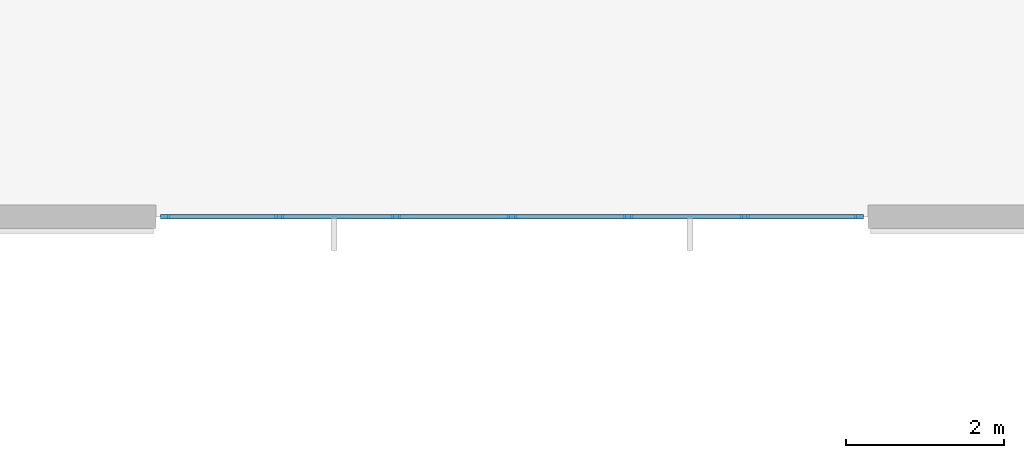
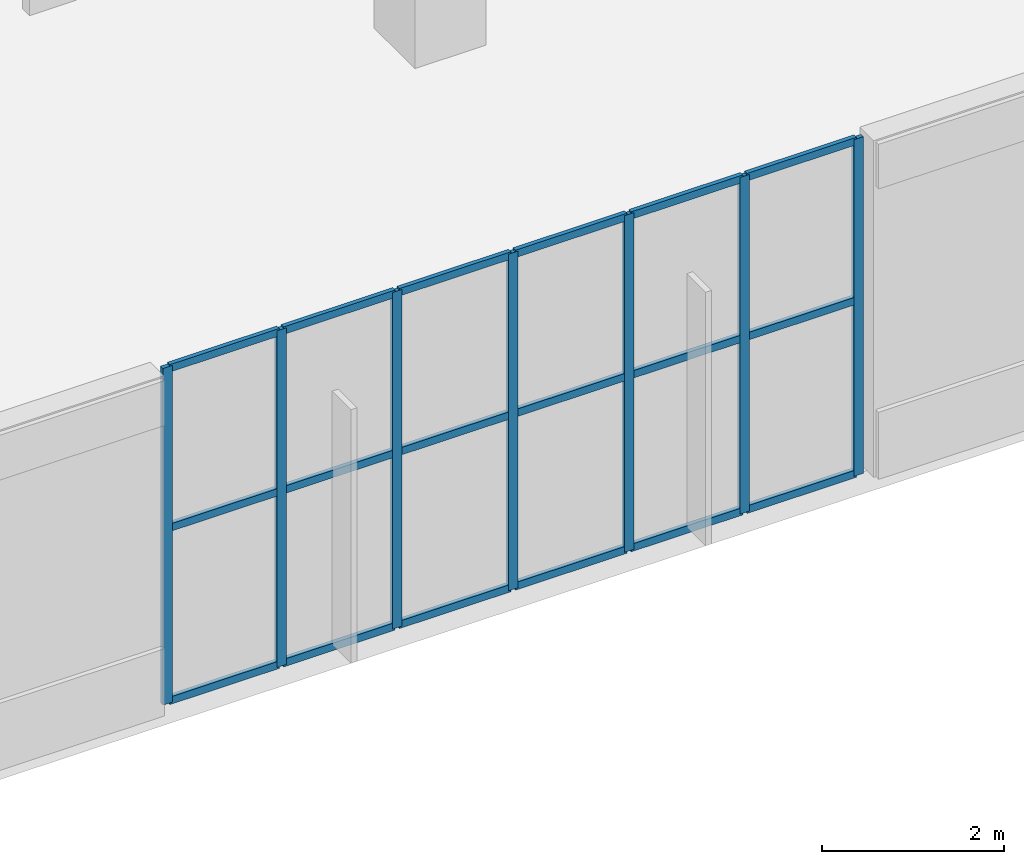
# One storey, part 32 of 96: 25 members, 1 element without a shape of its own.
"""IFC4 building model written with IfcOpenShell, lengths in metres."""

from ifc_helpers import new_model, si_unit, direction, frame, origin, origin_2d, place, context, subcontext, project, spatial, rectangle, extrude, material, layer, layer_set, material_profile, profile_set, type_object, element, aggregate, save


model = new_model("IFC4")

# Units and contexts
model_context = context("Model", 3, precision=1e-05, world=origin(), true_north=direction((0.0, 1.0)))
body_context = subcontext(model_context, "Body", "Model", "MODEL_VIEW")
ifc_project = project(units=[si_unit("LENGTHUNIT", "METRE"), si_unit("AREAUNIT", "SQUARE_METRE"), si_unit("VOLUMEUNIT", "CUBIC_METRE"), si_unit("PLANEANGLEUNIT", "RADIAN"), si_unit("MASSUNIT", "GRAM", prefix="KILO")], contexts=[model_context])

# Site, building, storey
site_placement = place(None, origin())
site = spatial("IfcSite", under=ifc_project, at=site_placement, CompositionType="ELEMENT")
building_placement = place(site_placement, origin())
building = spatial("IfcBuilding", under=site, at=building_placement, Name="Cendralis Terraced Arcade", CompositionType="ELEMENT")
storey_placement = place(building_placement, frame((0.0, 0.0, 10.199951171875)))
storey = spatial("IfcBuildingStorey", under=building, at=storey_placement, Name="L02", CompositionType="ELEMENT", Elevation=10.199951171875)

# Curtain wall, members
ifc_material = material(Name="Anodised aluminium EN AW-6063 T6", Category="aluminium")
ifc_layer = layer(ifc_material, 0.1201171875, Name="CW-STORE-B")
ifc_layer_set = layer_set([ifc_layer], Name="Anodised aluminium EN AW-6063 T6")
curtain_wall_type = type_object("IfcCurtainWallType", Name="CW-STORE-B", PredefinedType="USERDEFINED", material=ifc_layer_set)
curtain_wall_placement = place(storey_placement, origin())
curtain_wall = element("IfcCurtainWall", 1, at=curtain_wall_placement, inside=storey, type_object=curtain_wall_type, Name="Exterior Storefront Glazing CW-L02-0114", ObjectType="STOREFRONT GLAZING", PredefinedType="USERDEFINED")
ifc_material_profile_1 = material_profile(ifc_material, rectangle(XDim=0.054931640625, YDim=0.1201171875, at=origin_2d()), Name="ALU-MUL-55x120")
ifc_profile_set_1 = profile_set([ifc_material_profile_1], Name="Anodised aluminium EN AW-6063 T6")
member_type_1 = type_object("IfcMemberType", Name="CW-STORE-B-MUL", PredefinedType="MULLION", material=ifc_profile_set_1)
member_1_placement = place(storey_placement, frame((112.08251953125, 88.800048828125, 0.0), z_axis=(0.0, 0.0, 1.0), x_axis=(0.0, -1.0, 0.0)))
member_1 = element("IfcMember", 2, at=member_1_placement, type_object=member_type_1, Name="CW-S2 mullion 1", PredefinedType="MULLION", context=body_context, shape_type="SweptSolid", body=[
    extrude(rectangle(XDim=0.054931640625, YDim=0.1201171875, at=origin_2d()), origin(), (0.0, 0.0, 1.0), 4.51513671875),
])
member_2_placement = place(storey_placement, frame((110.639892578125, 88.800048828125, 0.0), z_axis=(0.0, 0.0, 1.0), x_axis=(0.0, -1.0, 0.0)))
member_2 = element("IfcMember", 3, at=member_2_placement, type_object=member_type_1, Name="CW-S2 mullion 2", PredefinedType="MULLION", context=body_context, shape_type="SweptSolid", body=[
    extrude(rectangle(XDim=0.054931640625, YDim=0.1201171875, at=origin_2d()), origin(), (0.0, 0.0, 1.0), 4.51513671875),
])
member_3_placement = place(storey_placement, frame((109.169921875, 88.800048828125, 0.0), z_axis=(0.0, 0.0, 1.0), x_axis=(0.0, -1.0, 0.0)))
member_3 = element("IfcMember", 4, at=member_3_placement, type_object=member_type_1, Name="CW-S2 mullion 3", PredefinedType="MULLION", context=body_context, shape_type="SweptSolid", body=[
    extrude(rectangle(XDim=0.054931640625, YDim=0.1201171875, at=origin_2d()), origin(), (0.0, 0.0, 1.0), 4.51513671875),
])
member_4_placement = place(storey_placement, frame((107.699951171875, 88.800048828125, 0.0), z_axis=(0.0, 0.0, 1.0), x_axis=(0.0, -1.0, 0.0)))
member_4 = element("IfcMember", 5, at=member_4_placement, type_object=member_type_1, Name="CW-S2 mullion 4", PredefinedType="MULLION", context=body_context, shape_type="SweptSolid", body=[
    extrude(rectangle(XDim=0.054931640625, YDim=0.1201171875, at=origin_2d()), origin(), (0.0, 0.0, 1.0), 4.51513671875),
])
member_5_placement = place(storey_placement, frame((106.22998046875, 88.800048828125, 0.0), z_axis=(0.0, 0.0, 1.0), x_axis=(0.0, -1.0, 0.0)))
member_5 = element("IfcMember", 6, at=member_5_placement, type_object=member_type_1, Name="CW-S2 mullion 5", PredefinedType="MULLION", context=body_context, shape_type="SweptSolid", body=[
    extrude(rectangle(XDim=0.054931640625, YDim=0.1201171875, at=origin_2d()), origin(), (0.0, 0.0, 1.0), 4.51513671875),
])
member_6_placement = place(storey_placement, frame((104.760009765625, 88.800048828125, 0.0), z_axis=(0.0, 0.0, 1.0), x_axis=(0.0, -1.0, 0.0)))
member_6 = element("IfcMember", 7, at=member_6_placement, type_object=member_type_1, Name="CW-S2 mullion 6", PredefinedType="MULLION", context=body_context, shape_type="SweptSolid", body=[
    extrude(rectangle(XDim=0.054931640625, YDim=0.1201171875, at=origin_2d()), origin(), (0.0, 0.0, 1.0), 4.51513671875),
])
member_7_placement = place(storey_placement, frame((103.3173828125, 88.800048828125, 0.0), z_axis=(0.0, 0.0, 1.0), x_axis=(0.0, -1.0, 0.0)))
member_7 = element("IfcMember", 8, at=member_7_placement, type_object=member_type_1, Name="CW-S2 mullion 7", PredefinedType="MULLION", context=body_context, shape_type="SweptSolid", body=[
    extrude(rectangle(XDim=0.054931640625, YDim=0.1201171875, at=origin_2d()), origin(), (0.0, 0.0, 1.0), 4.51513671875),
])
ifc_material_profile_2 = material_profile(ifc_material, rectangle(XDim=0.054931640625, YDim=0.10009765625, at=origin_2d()), Name="ALU-TRN-55x100")
ifc_profile_set_2 = profile_set([ifc_material_profile_2], Name="Anodised aluminium EN AW-6063 T6")
member_type_2 = type_object("IfcMemberType", Name="CW-STORE-B-TRN", PredefinedType="USERDEFINED", material=ifc_profile_set_2)
member_8_placement = place(storey_placement, frame((112.054931640625, 88.800048828125, 0.027587890625), z_axis=(-1.0, 0.0, 0.0), x_axis=(0.0, -1.0, 0.0)))
member_8 = element("IfcMember", 9, at=member_8_placement, type_object=member_type_2, Name="CW-S2 transom 1.1", ObjectType="TRANSOM", PredefinedType="USERDEFINED", context=body_context, shape_type="SweptSolid", body=[
    extrude(rectangle(XDim=0.054931640625, YDim=0.10009765625, at=origin_2d()), origin(), (0.0, 0.0, 1.0), 1.387451171875),
])
member_9_placement = place(storey_placement, frame((112.054931640625, 88.800048828125, 2.347900390625), z_axis=(-1.0, 0.0, 0.0), x_axis=(0.0, -1.0, 0.0)))
member_9 = element("IfcMember", 10, at=member_9_placement, type_object=member_type_2, Name="CW-S2 transom 1.2", ObjectType="TRANSOM", PredefinedType="USERDEFINED", context=body_context, shape_type="SweptSolid", body=[
    extrude(rectangle(XDim=0.054931640625, YDim=0.10009765625, at=origin_2d()), origin(), (0.0, 0.0, 1.0), 1.387451171875),
])
member_10_placement = place(storey_placement, frame((112.054931640625, 88.800048828125, 4.487548828125), z_axis=(-1.0, 0.0, 0.0), x_axis=(0.0, -1.0, 0.0)))
member_10 = element("IfcMember", 11, at=member_10_placement, type_object=member_type_2, Name="CW-S2 transom 1.3", ObjectType="TRANSOM", PredefinedType="USERDEFINED", context=body_context, shape_type="SweptSolid", body=[
    extrude(rectangle(XDim=0.054931640625, YDim=0.10009765625, at=origin_2d()), origin(), (0.0, 0.0, 1.0), 1.387451171875),
])
member_11_placement = place(storey_placement, frame((110.612548828125, 88.800048828125, 0.027587890625), z_axis=(-1.0, 0.0, 0.0), x_axis=(0.0, -1.0, 0.0)))
member_11 = element("IfcMember", 12, at=member_11_placement, type_object=member_type_2, Name="CW-S2 transom 2.1", ObjectType="TRANSOM", PredefinedType="USERDEFINED", context=body_context, shape_type="SweptSolid", body=[
    extrude(rectangle(XDim=0.054931640625, YDim=0.10009765625, at=origin_2d()), origin(), (0.0, 0.0, 1.0), 1.4150390625),
])
member_12_placement = place(storey_placement, frame((110.612548828125, 88.800048828125, 2.347900390625), z_axis=(-1.0, 0.0, 0.0), x_axis=(0.0, -1.0, 0.0)))
member_12 = element("IfcMember", 13, at=member_12_placement, type_object=member_type_2, Name="CW-S2 transom 2.2", ObjectType="TRANSOM", PredefinedType="USERDEFINED", context=body_context, shape_type="SweptSolid", body=[
    extrude(rectangle(XDim=0.054931640625, YDim=0.10009765625, at=origin_2d()), origin(), (0.0, 0.0, 1.0), 1.4150390625),
])
member_13_placement = place(storey_placement, frame((110.612548828125, 88.800048828125, 4.487548828125), z_axis=(-1.0, 0.0, 0.0), x_axis=(0.0, -1.0, 0.0)))
member_13 = element("IfcMember", 14, at=member_13_placement, type_object=member_type_2, Name="CW-S2 transom 2.3", ObjectType="TRANSOM", PredefinedType="USERDEFINED", context=body_context, shape_type="SweptSolid", body=[
    extrude(rectangle(XDim=0.054931640625, YDim=0.10009765625, at=origin_2d()), origin(), (0.0, 0.0, 1.0), 1.4150390625),
])
member_14_placement = place(storey_placement, frame((109.142578125, 88.800048828125, 0.027587890625), z_axis=(-1.0, 0.0, 0.0), x_axis=(0.0, -1.0, 0.0)))
member_14 = element("IfcMember", 15, at=member_14_placement, type_object=member_type_2, Name="CW-S2 transom 3.1", ObjectType="TRANSOM", PredefinedType="USERDEFINED", context=body_context, shape_type="SweptSolid", body=[
    extrude(rectangle(XDim=0.054931640625, YDim=0.10009765625, at=origin_2d()), origin(), (0.0, 0.0, 1.0), 1.4150390625),
])
member_15_placement = place(storey_placement, frame((109.142578125, 88.800048828125, 2.347900390625), z_axis=(-1.0, 0.0, 0.0), x_axis=(0.0, -1.0, 0.0)))
member_15 = element("IfcMember", 16, at=member_15_placement, type_object=member_type_2, Name="CW-S2 transom 3.2", ObjectType="TRANSOM", PredefinedType="USERDEFINED", context=body_context, shape_type="SweptSolid", body=[
    extrude(rectangle(XDim=0.054931640625, YDim=0.10009765625, at=origin_2d()), origin(), (0.0, 0.0, 1.0), 1.4150390625),
])
member_16_placement = place(storey_placement, frame((109.142578125, 88.800048828125, 4.487548828125), z_axis=(-1.0, 0.0, 0.0), x_axis=(0.0, -1.0, 0.0)))
member_16 = element("IfcMember", 17, at=member_16_placement, type_object=member_type_2, Name="CW-S2 transom 3.3", ObjectType="TRANSOM", PredefinedType="USERDEFINED", context=body_context, shape_type="SweptSolid", body=[
    extrude(rectangle(XDim=0.054931640625, YDim=0.10009765625, at=origin_2d()), origin(), (0.0, 0.0, 1.0), 1.4150390625),
])
member_17_placement = place(storey_placement, frame((107.672607421875, 88.800048828125, 0.027587890625), z_axis=(-1.0, 0.0, 0.0), x_axis=(0.0, -1.0, 0.0)))
member_17 = element("IfcMember", 18, at=member_17_placement, type_object=member_type_2, Name="CW-S2 transom 4.1", ObjectType="TRANSOM", PredefinedType="USERDEFINED", context=body_context, shape_type="SweptSolid", body=[
    extrude(rectangle(XDim=0.054931640625, YDim=0.10009765625, at=origin_2d()), origin(), (0.0, 0.0, 1.0), 1.4150390625),
])
member_18_placement = place(storey_placement, frame((107.672607421875, 88.800048828125, 2.347900390625), z_axis=(-1.0, 0.0, 0.0), x_axis=(0.0, -1.0, 0.0)))
member_18 = element("IfcMember", 19, at=member_18_placement, type_object=member_type_2, Name="CW-S2 transom 4.2", ObjectType="TRANSOM", PredefinedType="USERDEFINED", context=body_context, shape_type="SweptSolid", body=[
    extrude(rectangle(XDim=0.054931640625, YDim=0.10009765625, at=origin_2d()), origin(), (0.0, 0.0, 1.0), 1.4150390625),
])
member_19_placement = place(storey_placement, frame((107.672607421875, 88.800048828125, 4.487548828125), z_axis=(-1.0, 0.0, 0.0), x_axis=(0.0, -1.0, 0.0)))
member_19 = element("IfcMember", 20, at=member_19_placement, type_object=member_type_2, Name="CW-S2 transom 4.3", ObjectType="TRANSOM", PredefinedType="USERDEFINED", context=body_context, shape_type="SweptSolid", body=[
    extrude(rectangle(XDim=0.054931640625, YDim=0.10009765625, at=origin_2d()), origin(), (0.0, 0.0, 1.0), 1.4150390625),
])
member_20_placement = place(storey_placement, frame((106.202392578125, 88.800048828125, 0.027587890625), z_axis=(-1.0, 0.0, 0.0), x_axis=(0.0, -1.0, 0.0)))
member_20 = element("IfcMember", 21, at=member_20_placement, type_object=member_type_2, Name="CW-S2 transom 5.1", ObjectType="TRANSOM", PredefinedType="USERDEFINED", context=body_context, shape_type="SweptSolid", body=[
    extrude(rectangle(XDim=0.054931640625, YDim=0.10009765625, at=origin_2d()), origin(), (0.0, 0.0, 1.0), 1.414794921875),
])
member_21_placement = place(storey_placement, frame((106.202392578125, 88.800048828125, 2.347900390625), z_axis=(-1.0, 0.0, 0.0), x_axis=(0.0, -1.0, 0.0)))
member_21 = element("IfcMember", 22, at=member_21_placement, type_object=member_type_2, Name="CW-S2 transom 5.2", ObjectType="TRANSOM", PredefinedType="USERDEFINED", context=body_context, shape_type="SweptSolid", body=[
    extrude(rectangle(XDim=0.054931640625, YDim=0.10009765625, at=origin_2d()), origin(), (0.0, 0.0, 1.0), 1.414794921875),
])
member_22_placement = place(storey_placement, frame((106.202392578125, 88.800048828125, 4.487548828125), z_axis=(-1.0, 0.0, 0.0), x_axis=(0.0, -1.0, 0.0)))
member_22 = element("IfcMember", 23, at=member_22_placement, type_object=member_type_2, Name="CW-S2 transom 5.3", ObjectType="TRANSOM", PredefinedType="USERDEFINED", context=body_context, shape_type="SweptSolid", body=[
    extrude(rectangle(XDim=0.054931640625, YDim=0.10009765625, at=origin_2d()), origin(), (0.0, 0.0, 1.0), 1.414794921875),
])
member_23_placement = place(storey_placement, frame((104.732421875, 88.800048828125, 0.027587890625), z_axis=(-1.0, 0.0, 0.0), x_axis=(0.0, -1.0, 0.0)))
member_23 = element("IfcMember", 24, at=member_23_placement, type_object=member_type_2, Name="CW-S2 transom 6.1", ObjectType="TRANSOM", PredefinedType="USERDEFINED", context=body_context, shape_type="SweptSolid", body=[
    extrude(rectangle(XDim=0.054931640625, YDim=0.10009765625, at=origin_2d()), origin(), (0.0, 0.0, 1.0), 1.387451171875),
])
member_24_placement = place(storey_placement, frame((104.732421875, 88.800048828125, 2.347900390625), z_axis=(-1.0, 0.0, 0.0), x_axis=(0.0, -1.0, 0.0)))
member_24 = element("IfcMember", 25, at=member_24_placement, type_object=member_type_2, Name="CW-S2 transom 6.2", ObjectType="TRANSOM", PredefinedType="USERDEFINED", context=body_context, shape_type="SweptSolid", body=[
    extrude(rectangle(XDim=0.054931640625, YDim=0.10009765625, at=origin_2d()), origin(), (0.0, 0.0, 1.0), 1.387451171875),
])
member_25_placement = place(storey_placement, frame((104.732421875, 88.800048828125, 4.487548828125), z_axis=(-1.0, 0.0, 0.0), x_axis=(0.0, -1.0, 0.0)))
member_25 = element("IfcMember", 26, at=member_25_placement, type_object=member_type_2, Name="CW-S2 transom 6.3", ObjectType="TRANSOM", PredefinedType="USERDEFINED", context=body_context, shape_type="SweptSolid", body=[
    extrude(rectangle(XDim=0.054931640625, YDim=0.10009765625, at=origin_2d()), origin(), (0.0, 0.0, 1.0), 1.387451171875),
])
aggregate(curtain_wall, [member_1, member_2, member_3, member_4, member_5, member_6, member_7, member_8, member_9, member_10, member_11, member_12, member_13, member_14, member_15, member_16, member_17, member_18, member_19, member_20, member_21, member_22, member_23, member_24, member_25])

save(model, "model.ifc")
